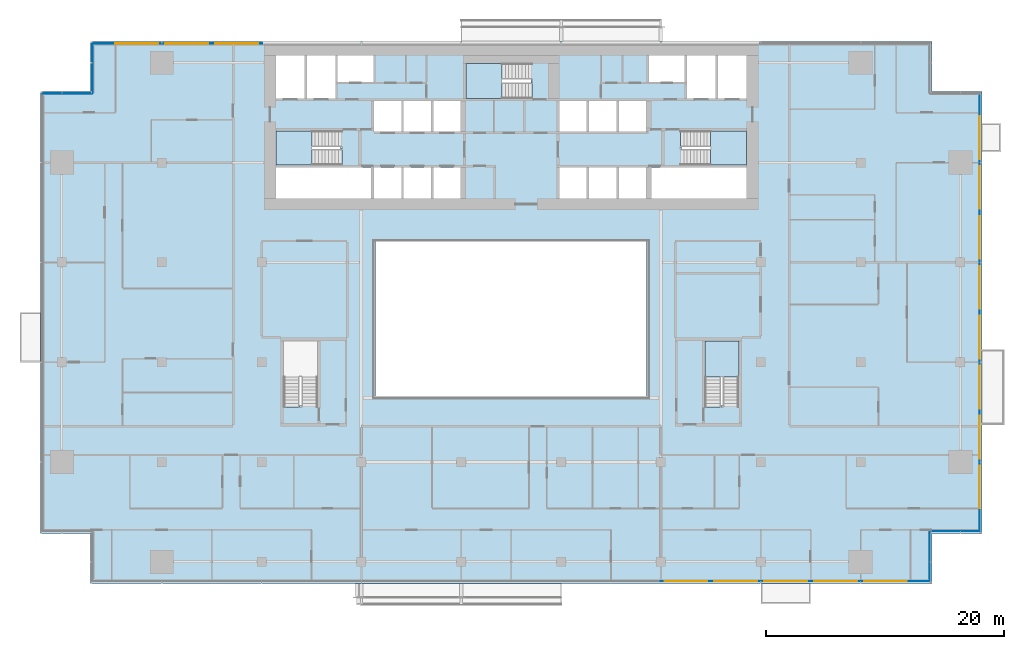
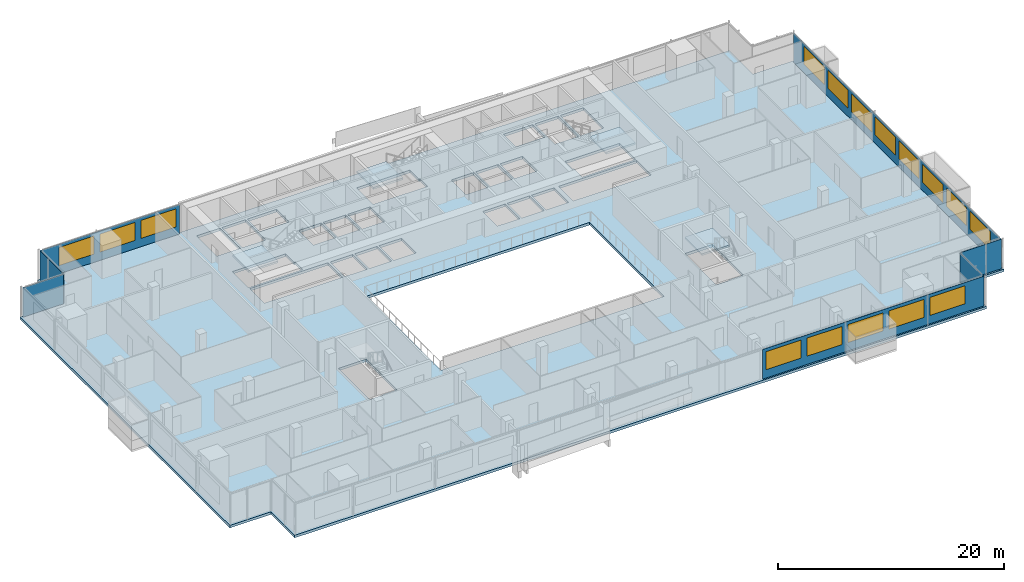
# One storey, part 15 of 26: 16 windows, 7 plates, 5 slabs, 16 openings, 11 elements without a shape of their own.
"""IFC4 building model written with IfcOpenShell, lengths in metres."""

from ifc_helpers import new_model, si_unit, direction, frame, frame_2d, origin, place, context, subcontext, project, spatial, polyline, rectangle, outline, extrude, material, layer, layer_set, type_object, element, fill, aggregate, save


model = new_model("IFC4")

# Units and contexts
model_context = context("Model", 3, precision=1e-05, world=origin(), true_north=direction((0.0, 1.0)))
body_context = subcontext(model_context, "Body", "Model", "MODEL_VIEW")
ifc_project = project(units=[si_unit("LENGTHUNIT", "METRE"), si_unit("AREAUNIT", "SQUARE_METRE"), si_unit("VOLUMEUNIT", "CUBIC_METRE"), si_unit("PLANEANGLEUNIT", "RADIAN"), si_unit("MASSUNIT", "GRAM", prefix="KILO")], contexts=[model_context])

# Site, building, storey
site_placement = place(None, origin())
site = spatial("IfcSite", under=ifc_project, at=site_placement, CompositionType="ELEMENT")
building_placement = place(site_placement, origin())
building = spatial("IfcBuilding", under=site, at=building_placement, Name="Saffron Gate Tower", CompositionType="ELEMENT")
storey_placement = place(building_placement, frame((0.0, 0.0, 120.449951171875)))
storey = spatial("IfcBuildingStorey", under=building, at=storey_placement, Name="L28", CompositionType="ELEMENT", Elevation=120.449951171875)

# Curtain wall, plate, openings, windows
ifc_material_1 = material(Name="Aluminium, bronze anodised", Category="aluminium")
curtain_wall_type_1 = type_object("IfcCurtainWallType", Name="CWS1 curtain wall front facade", PredefinedType="NOTDEFINED", material=ifc_material_1)
curtain_wall_1_placement = place(storey_placement, origin())
curtain_wall_1 = element("IfcCurtainWall", 1, at=curtain_wall_1_placement, inside=storey, type_object=curtain_wall_type_1, Name="CWS1 run 1", PredefinedType="NOTDEFINED")
ifc_material_2 = material(Name="Fritted bronze-tinted laminated glass", Category="glass")
ifc_layer_1 = layer(ifc_material_2, 0.028076171875)
ifc_layer_set_1 = layer_set([ifc_layer_1], Name="CWS1 fixed glass")
plate_type_1 = type_object("IfcPlateType", Name="CWS1 fixed glass", PredefinedType="CURTAIN_PANEL", material=ifc_layer_set_1)
plate_1_placement = place(storey_placement, frame((100.169921875, 30.174072265625, 0.0), z_axis=(0.0, 0.0, 1.0), x_axis=(1.0, 0.0, 0.0)))
plate_1 = element("IfcPlate", 2, at=plate_1_placement, type_object=plate_type_1, Name="CWS1 glass panel", PredefinedType="CURTAIN_PANEL", context=body_context, shape_type="SweptSolid", body=[
    extrude(rectangle(XDim=22.64208984375, YDim=0.028076171875, at=frame_2d((11.321044921875, 0.0))), origin(), (0.0, 0.0, 1.0), 3.199951171875),
])
opening_1_placement = place(plate_1_placement, frame((0.330078125, 0.0, 0.89990234375)))
opening_1 = element("IfcOpeningElement", 3, at=opening_1_placement, cuts=plate_1, Name="Opening W1", PredefinedType="OPENING", context=body_context, shape_type="SweptSolid", body=[
    extrude(rectangle(XDim=3.60009765625, YDim=1.949951171875, at=frame_2d((1.800048828125, 0.97509765625))), frame((0.0, 0.02392578125, 0.0), z_axis=(0.0, -1.0, 0.0), x_axis=(1.0, 0.0, 0.0)), (0.0, 0.0, 1.0), 0.048095703125),
])
opening_2_placement = place(plate_1_placement, frame((4.530029296875, 0.0, 0.89990234375)))
opening_2 = element("IfcOpeningElement", 4, at=opening_2_placement, cuts=plate_1, Name="Opening W1", PredefinedType="OPENING", context=body_context, shape_type="SweptSolid", body=[
    extrude(rectangle(XDim=3.60009765625, YDim=1.949951171875, at=frame_2d((1.800048828125, 0.97509765625))), frame((0.0, 0.02392578125, 0.0), z_axis=(0.0, -1.0, 0.0), x_axis=(1.0, 0.0, 0.0)), (0.0, 0.0, 1.0), 0.048095703125),
])
opening_3_placement = place(plate_1_placement, frame((8.72998046875, 0.0, 0.89990234375)))
opening_3 = element("IfcOpeningElement", 5, at=opening_3_placement, cuts=plate_1, Name="Opening W1", PredefinedType="OPENING", context=body_context, shape_type="SweptSolid", body=[
    extrude(rectangle(XDim=3.60009765625, YDim=1.949951171875, at=frame_2d((1.800048828125, 0.97509765625))), frame((0.0, 0.02392578125, 0.0), z_axis=(0.0, -1.0, 0.0), x_axis=(1.0, 0.0, 0.0)), (0.0, 0.0, 1.0), 0.048095703125),
])
opening_4_placement = place(plate_1_placement, frame((12.929931640625, 0.0, 0.89990234375)))
opening_4 = element("IfcOpeningElement", 6, at=opening_4_placement, cuts=plate_1, Name="Opening W1", PredefinedType="OPENING", context=body_context, shape_type="SweptSolid", body=[
    extrude(rectangle(XDim=3.60009765625, YDim=1.949951171875, at=frame_2d((1.800048828125, 0.97509765625))), frame((0.0, 0.02392578125, 0.0), z_axis=(0.0, -1.0, 0.0), x_axis=(1.0, 0.0, 0.0)), (0.0, 0.0, 1.0), 0.048095703125),
])
opening_5_placement = place(plate_1_placement, frame((17.1298828125, 0.0, 0.89990234375)))
opening_5 = element("IfcOpeningElement", 7, at=opening_5_placement, cuts=plate_1, Name="Opening W1", PredefinedType="OPENING", context=body_context, shape_type="SweptSolid", body=[
    extrude(rectangle(XDim=3.60009765625, YDim=1.949951171875, at=frame_2d((1.800048828125, 0.97509765625))), frame((0.0, 0.02392578125, 0.0), z_axis=(0.0, -1.0, 0.0), x_axis=(1.0, 0.0, 0.0)), (0.0, 0.0, 1.0), 0.048095703125),
])
ifc_material_3 = material(Name="Fritted bronze-tinted laminated glass in bronze frame", Category="glass")
ifc_layer_2 = layer(ifc_material_3, 0.06005859375)
ifc_layer_set_2 = layer_set([ifc_layer_2], Name="W1 operable panel 3600x1950")
window_type = type_object("IfcWindowType", Name="W1 operable panel 3600x1950", PartitioningType="DOUBLE_PANEL_HORIZONTAL", PredefinedType="WINDOW", material=ifc_layer_set_2)
window_1_placement = place(opening_1_placement, origin())
window_1 = element("IfcWindow", 8, at=window_1_placement, type_object=window_type, Name="W1 operable panel", OverallHeight=1.949951171875, OverallWidth=3.60009765625, PartitioningType="SINGLE_PANEL", PredefinedType="WINDOW", context=body_context, shape_type="SweptSolid", body=[
    extrude(rectangle(XDim=3.60009765625, YDim=1.949951171875, at=frame_2d((1.800048828125, 0.97509765625))), frame((0.0, 0.013671875, 0.0), z_axis=(0.0, -1.0, 0.0), x_axis=(1.0, 0.0, 0.0)), (0.0, 0.0, 1.0), 0.027587890625),
])
fill(opening_1, window_1)
window_2_placement = place(opening_2_placement, origin())
window_2 = element("IfcWindow", 9, at=window_2_placement, type_object=window_type, Name="W1 operable panel", OverallHeight=1.949951171875, OverallWidth=3.60009765625, PartitioningType="SINGLE_PANEL", PredefinedType="WINDOW", context=body_context, shape_type="SweptSolid", body=[
    extrude(rectangle(XDim=3.60009765625, YDim=1.949951171875, at=frame_2d((1.800048828125, 0.97509765625))), frame((0.0, 0.013671875, 0.0), z_axis=(0.0, -1.0, 0.0), x_axis=(1.0, 0.0, 0.0)), (0.0, 0.0, 1.0), 0.027587890625),
])
fill(opening_2, window_2)
window_3_placement = place(opening_3_placement, origin())
window_3 = element("IfcWindow", 10, at=window_3_placement, type_object=window_type, Name="W1 operable panel", OverallHeight=1.949951171875, OverallWidth=3.60009765625, PartitioningType="SINGLE_PANEL", PredefinedType="WINDOW", context=body_context, shape_type="SweptSolid", body=[
    extrude(rectangle(XDim=3.60009765625, YDim=1.949951171875, at=frame_2d((1.800048828125, 0.97509765625))), frame((0.0, 0.013671875, 0.0), z_axis=(0.0, -1.0, 0.0), x_axis=(1.0, 0.0, 0.0)), (0.0, 0.0, 1.0), 0.027587890625),
])
fill(opening_3, window_3)
window_4_placement = place(opening_4_placement, origin())
window_4 = element("IfcWindow", 11, at=window_4_placement, type_object=window_type, Name="W1 operable panel", OverallHeight=1.949951171875, OverallWidth=3.60009765625, PartitioningType="SINGLE_PANEL", PredefinedType="WINDOW", context=body_context, shape_type="SweptSolid", body=[
    extrude(rectangle(XDim=3.60009765625, YDim=1.949951171875, at=frame_2d((1.800048828125, 0.97509765625))), frame((0.0, 0.013671875, 0.0), z_axis=(0.0, -1.0, 0.0), x_axis=(1.0, 0.0, 0.0)), (0.0, 0.0, 1.0), 0.027587890625),
])
fill(opening_4, window_4)
window_5_placement = place(opening_5_placement, origin())
window_5 = element("IfcWindow", 12, at=window_5_placement, type_object=window_type, Name="W1 operable panel", OverallHeight=1.949951171875, OverallWidth=3.60009765625, PartitioningType="SINGLE_PANEL", PredefinedType="WINDOW", context=body_context, shape_type="SweptSolid", body=[
    extrude(rectangle(XDim=3.60009765625, YDim=1.949951171875, at=frame_2d((1.800048828125, 0.97509765625))), frame((0.0, 0.013671875, 0.0), z_axis=(0.0, -1.0, 0.0), x_axis=(1.0, 0.0, 0.0)), (0.0, 0.0, 1.0), 0.027587890625),
])
fill(opening_5, window_5)
aggregate(curtain_wall_1, [plate_1, window_1, window_2, window_3, window_4, window_5])

curtain_wall_type_2 = type_object("IfcCurtainWallType", Name="CWS2 curtain wall side facades", PredefinedType="NOTDEFINED", material=ifc_material_1)
curtain_wall_2_placement = place(storey_placement, origin())
curtain_wall_2 = element("IfcCurtainWall", 13, at=curtain_wall_2_placement, inside=storey, type_object=curtain_wall_type_2, Name="CWS2 run 4", PredefinedType="NOTDEFINED")
ifc_layer_3 = layer(ifc_material_2, 0.028076171875)
ifc_layer_set_3 = layer_set([ifc_layer_3], Name="CWS2 fixed glass")
plate_type_2 = type_object("IfcPlateType", Name="CWS2 fixed glass", PredefinedType="CURTAIN_PANEL", material=ifc_layer_set_3)
plate_2_placement = place(storey_placement, frame((127.02587890625, 34.387939453125, 0.0), z_axis=(0.0, 0.0, 1.0), x_axis=(0.0, 1.0, 0.0)))
plate_2 = element("IfcPlate", 14, at=plate_2_placement, type_object=plate_type_2, Name="CWS2 glass panel", PredefinedType="CURTAIN_PANEL", context=body_context, shape_type="SweptSolid", body=[
    extrude(rectangle(XDim=36.823974609375, YDim=0.028076171875, at=frame_2d((18.412109375, 0.0))), origin(), (0.0, 0.0, 1.0), 3.199951171875),
])
opening_6_placement = place(plate_2_placement, frame((1.912109375, 0.0, 0.89990234375)))
opening_6 = element("IfcOpeningElement", 15, at=opening_6_placement, cuts=plate_2, Name="Opening W1", PredefinedType="OPENING", context=body_context, shape_type="SweptSolid", body=[
    extrude(rectangle(XDim=3.60009765625, YDim=1.949951171875, at=frame_2d((1.800048828125, 0.97509765625))), frame((0.0, 0.02392578125, 0.0), z_axis=(0.0, -1.0, 0.0), x_axis=(1.0, 0.0, 0.0)), (0.0, 0.0, 1.0), 0.048095703125),
])
opening_7_placement = place(plate_2_placement, frame((6.112060546875, 0.0, 0.89990234375)))
opening_7 = element("IfcOpeningElement", 16, at=opening_7_placement, cuts=plate_2, Name="Opening W1", PredefinedType="OPENING", context=body_context, shape_type="SweptSolid", body=[
    extrude(rectangle(XDim=3.60009765625, YDim=1.949951171875, at=frame_2d((1.800048828125, 0.97509765625))), frame((0.0, 0.02392578125, 0.0), z_axis=(0.0, -1.0, 0.0), x_axis=(1.0, 0.0, 0.0)), (0.0, 0.0, 1.0), 0.048095703125),
])
opening_8_placement = place(plate_2_placement, frame((10.31201171875, 0.0, 0.89990234375)))
opening_8 = element("IfcOpeningElement", 17, at=opening_8_placement, cuts=plate_2, Name="Opening W1", PredefinedType="OPENING", context=body_context, shape_type="SweptSolid", body=[
    extrude(rectangle(XDim=3.60009765625, YDim=1.949951171875, at=frame_2d((1.800048828125, 0.97509765625))), frame((0.0, 0.02392578125, 0.0), z_axis=(0.0, -1.0, 0.0), x_axis=(1.0, 0.0, 0.0)), (0.0, 0.0, 1.0), 0.048095703125),
])
opening_9_placement = place(plate_2_placement, frame((14.511962890625, 0.0, 0.89990234375)))
opening_9 = element("IfcOpeningElement", 18, at=opening_9_placement, cuts=plate_2, Name="Opening W1", PredefinedType="OPENING", context=body_context, shape_type="SweptSolid", body=[
    extrude(rectangle(XDim=3.60009765625, YDim=1.949951171875, at=frame_2d((1.800048828125, 0.97509765625))), frame((0.0, 0.02392578125, 0.0), z_axis=(0.0, -1.0, 0.0), x_axis=(1.0, 0.0, 0.0)), (0.0, 0.0, 1.0), 0.048095703125),
])
opening_10_placement = place(plate_2_placement, frame((18.7119140625, 0.0, 0.89990234375)))
opening_10 = element("IfcOpeningElement", 19, at=opening_10_placement, cuts=plate_2, Name="Opening W1", PredefinedType="OPENING", context=body_context, shape_type="SweptSolid", body=[
    extrude(rectangle(XDim=3.60009765625, YDim=1.949951171875, at=frame_2d((1.800048828125, 0.97509765625))), frame((0.0, 0.02392578125, 0.0), z_axis=(0.0, -1.0, 0.0), x_axis=(1.0, 0.0, 0.0)), (0.0, 0.0, 1.0), 0.048095703125),
])
opening_11_placement = place(plate_2_placement, frame((22.912109375, 0.0, 0.89990234375)))
opening_11 = element("IfcOpeningElement", 20, at=opening_11_placement, cuts=plate_2, Name="Opening W1", PredefinedType="OPENING", context=body_context, shape_type="SweptSolid", body=[
    extrude(rectangle(XDim=3.60009765625, YDim=1.949951171875, at=frame_2d((1.800048828125, 0.97509765625))), frame((0.0, 0.02392578125, 0.0), z_axis=(0.0, -1.0, 0.0), x_axis=(1.0, 0.0, 0.0)), (0.0, 0.0, 1.0), 0.048095703125),
])
opening_12_placement = place(plate_2_placement, frame((27.112060546875, 0.0, 0.89990234375)))
opening_12 = element("IfcOpeningElement", 21, at=opening_12_placement, cuts=plate_2, Name="Opening W1", PredefinedType="OPENING", context=body_context, shape_type="SweptSolid", body=[
    extrude(rectangle(XDim=3.60009765625, YDim=1.949951171875, at=frame_2d((1.800048828125, 0.97509765625))), frame((0.0, 0.02392578125, 0.0), z_axis=(0.0, -1.0, 0.0), x_axis=(1.0, 0.0, 0.0)), (0.0, 0.0, 1.0), 0.048095703125),
])
opening_13_placement = place(plate_2_placement, frame((31.31201171875, 0.0, 0.89990234375)))
opening_13 = element("IfcOpeningElement", 22, at=opening_13_placement, cuts=plate_2, Name="Opening W1", PredefinedType="OPENING", context=body_context, shape_type="SweptSolid", body=[
    extrude(rectangle(XDim=3.60009765625, YDim=1.949951171875, at=frame_2d((1.800048828125, 0.97509765625))), frame((0.0, 0.02392578125, 0.0), z_axis=(0.0, -1.0, 0.0), x_axis=(1.0, 0.0, 0.0)), (0.0, 0.0, 1.0), 0.048095703125),
])
window_6_placement = place(opening_6_placement, origin())
window_6 = element("IfcWindow", 23, at=window_6_placement, type_object=window_type, Name="W1 operable panel", OverallHeight=1.949951171875, OverallWidth=3.60009765625, PartitioningType="SINGLE_PANEL", PredefinedType="WINDOW", context=body_context, shape_type="SweptSolid", body=[
    extrude(rectangle(XDim=3.60009765625, YDim=1.949951171875, at=frame_2d((1.800048828125, 0.97509765625))), frame((0.0, 0.013671875, 0.0), z_axis=(0.0, -1.0, 0.0), x_axis=(1.0, 0.0, 0.0)), (0.0, 0.0, 1.0), 0.027587890625),
])
fill(opening_6, window_6)
window_7_placement = place(opening_7_placement, origin())
window_7 = element("IfcWindow", 24, at=window_7_placement, type_object=window_type, Name="W1 operable panel", OverallHeight=1.949951171875, OverallWidth=3.60009765625, PartitioningType="SINGLE_PANEL", PredefinedType="WINDOW", context=body_context, shape_type="SweptSolid", body=[
    extrude(rectangle(XDim=3.60009765625, YDim=1.949951171875, at=frame_2d((1.800048828125, 0.97509765625))), frame((0.0, 0.013671875, 0.0), z_axis=(0.0, -1.0, 0.0), x_axis=(1.0, 0.0, 0.0)), (0.0, 0.0, 1.0), 0.027587890625),
])
fill(opening_7, window_7)
window_8_placement = place(opening_8_placement, origin())
window_8 = element("IfcWindow", 25, at=window_8_placement, type_object=window_type, Name="W1 operable panel", OverallHeight=1.949951171875, OverallWidth=3.60009765625, PartitioningType="SINGLE_PANEL", PredefinedType="WINDOW", context=body_context, shape_type="SweptSolid", body=[
    extrude(rectangle(XDim=3.60009765625, YDim=1.949951171875, at=frame_2d((1.800048828125, 0.97509765625))), frame((0.0, 0.013671875, 0.0), z_axis=(0.0, -1.0, 0.0), x_axis=(1.0, 0.0, 0.0)), (0.0, 0.0, 1.0), 0.027587890625),
])
fill(opening_8, window_8)
window_9_placement = place(opening_9_placement, origin())
window_9 = element("IfcWindow", 26, at=window_9_placement, type_object=window_type, Name="W1 operable panel", OverallHeight=1.949951171875, OverallWidth=3.60009765625, PartitioningType="SINGLE_PANEL", PredefinedType="WINDOW", context=body_context, shape_type="SweptSolid", body=[
    extrude(rectangle(XDim=3.60009765625, YDim=1.949951171875, at=frame_2d((1.800048828125, 0.97509765625))), frame((0.0, 0.013671875, 0.0), z_axis=(0.0, -1.0, 0.0), x_axis=(1.0, 0.0, 0.0)), (0.0, 0.0, 1.0), 0.027587890625),
])
fill(opening_9, window_9)
window_10_placement = place(opening_10_placement, origin())
window_10 = element("IfcWindow", 27, at=window_10_placement, type_object=window_type, Name="W1 operable panel", OverallHeight=1.949951171875, OverallWidth=3.60009765625, PartitioningType="SINGLE_PANEL", PredefinedType="WINDOW", context=body_context, shape_type="SweptSolid", body=[
    extrude(rectangle(XDim=3.60009765625, YDim=1.949951171875, at=frame_2d((1.800048828125, 0.97509765625))), frame((0.0, 0.013671875, 0.0), z_axis=(0.0, -1.0, 0.0), x_axis=(1.0, 0.0, 0.0)), (0.0, 0.0, 1.0), 0.027587890625),
])
fill(opening_10, window_10)
window_11_placement = place(opening_11_placement, origin())
window_11 = element("IfcWindow", 28, at=window_11_placement, type_object=window_type, Name="W1 operable panel", OverallHeight=1.949951171875, OverallWidth=3.60009765625, PartitioningType="SINGLE_PANEL", PredefinedType="WINDOW", context=body_context, shape_type="SweptSolid", body=[
    extrude(rectangle(XDim=3.60009765625, YDim=1.949951171875, at=frame_2d((1.800048828125, 0.97509765625))), frame((0.0, 0.013671875, 0.0), z_axis=(0.0, -1.0, 0.0), x_axis=(1.0, 0.0, 0.0)), (0.0, 0.0, 1.0), 0.027587890625),
])
fill(opening_11, window_11)
window_12_placement = place(opening_12_placement, origin())
window_12 = element("IfcWindow", 29, at=window_12_placement, type_object=window_type, Name="W1 operable panel", OverallHeight=1.949951171875, OverallWidth=3.60009765625, PartitioningType="SINGLE_PANEL", PredefinedType="WINDOW", context=body_context, shape_type="SweptSolid", body=[
    extrude(rectangle(XDim=3.60009765625, YDim=1.949951171875, at=frame_2d((1.800048828125, 0.97509765625))), frame((0.0, 0.013671875, 0.0), z_axis=(0.0, -1.0, 0.0), x_axis=(1.0, 0.0, 0.0)), (0.0, 0.0, 1.0), 0.027587890625),
])
fill(opening_12, window_12)
window_13_placement = place(opening_13_placement, origin())
window_13 = element("IfcWindow", 30, at=window_13_placement, type_object=window_type, Name="W1 operable panel", OverallHeight=1.949951171875, OverallWidth=3.60009765625, PartitioningType="SINGLE_PANEL", PredefinedType="WINDOW", context=body_context, shape_type="SweptSolid", body=[
    extrude(rectangle(XDim=3.60009765625, YDim=1.949951171875, at=frame_2d((1.800048828125, 0.97509765625))), frame((0.0, 0.013671875, 0.0), z_axis=(0.0, -1.0, 0.0), x_axis=(1.0, 0.0, 0.0)), (0.0, 0.0, 1.0), 0.027587890625),
])
fill(opening_13, window_13)
aggregate(curtain_wall_2, [plate_2, window_6, window_7, window_8, window_9, window_10, window_11, window_12, window_13])

curtain_wall_type_3 = type_object("IfcCurtainWallType", Name="CWS3 curtain wall rear facade", PredefinedType="NOTDEFINED", material=ifc_material_1)
curtain_wall_3_placement = place(storey_placement, origin())
curtain_wall_3 = element("IfcCurtainWall", 31, at=curtain_wall_3_placement, inside=storey, type_object=curtain_wall_type_3, Name="CWS3 run 7", PredefinedType="NOTDEFINED")
ifc_material_4 = material(Name="Fritted grey-tinted laminated glass", Category="glass")
ifc_layer_4 = layer(ifc_material_4, 0.028076171875)
ifc_layer_set_4 = layer_set([ifc_layer_4], Name="CWS3 fixed glass")
plate_type_3 = type_object("IfcPlateType", Name="CWS3 fixed glass", PredefinedType="CURTAIN_PANEL", material=ifc_layer_set_4)
plate_3_placement = place(storey_placement, frame((66.635009765625, 75.426025390625, 0.0), z_axis=(0.0, 0.0, 1.0), x_axis=(-1.0, 0.0, 0.0)))
plate_3 = element("IfcPlate", 32, at=plate_3_placement, type_object=plate_type_3, Name="CWS3 glass panel", PredefinedType="CURTAIN_PANEL", context=body_context, shape_type="SweptSolid", body=[
    extrude(rectangle(XDim=14.2470703125, YDim=0.028076171875, at=frame_2d((7.12353515625, 0.0))), origin(), (0.0, 0.0, 1.0), 3.199951171875),
])
opening_14_placement = place(plate_3_placement, frame((0.3349609375, 0.0, 0.89990234375)))
opening_14 = element("IfcOpeningElement", 33, at=opening_14_placement, cuts=plate_3, Name="Opening W1", PredefinedType="OPENING", context=body_context, shape_type="SweptSolid", body=[
    extrude(rectangle(XDim=3.60009765625, YDim=1.949951171875, at=frame_2d((1.800048828125, 0.97509765625))), frame((0.0, 0.02392578125, 0.0), z_axis=(0.0, -1.0, 0.0), x_axis=(1.0, 0.0, 0.0)), (0.0, 0.0, 1.0), 0.048095703125),
])
opening_15_placement = place(plate_3_placement, frame((4.534912109375, 0.0, 0.89990234375)))
opening_15 = element("IfcOpeningElement", 34, at=opening_15_placement, cuts=plate_3, Name="Opening W1", PredefinedType="OPENING", context=body_context, shape_type="SweptSolid", body=[
    extrude(rectangle(XDim=3.60009765625, YDim=1.949951171875, at=frame_2d((1.800048828125, 0.97509765625))), frame((0.0, 0.02392578125, 0.0), z_axis=(0.0, -1.0, 0.0), x_axis=(1.0, 0.0, 0.0)), (0.0, 0.0, 1.0), 0.048095703125),
])
opening_16_placement = place(plate_3_placement, frame((8.735107421875, 0.0, 0.89990234375)))
opening_16 = element("IfcOpeningElement", 35, at=opening_16_placement, cuts=plate_3, Name="Opening W1", PredefinedType="OPENING", context=body_context, shape_type="SweptSolid", body=[
    extrude(rectangle(XDim=3.60009765625, YDim=1.949951171875, at=frame_2d((1.800048828125, 0.97509765625))), frame((0.0, 0.02392578125, 0.0), z_axis=(0.0, -1.0, 0.0), x_axis=(1.0, 0.0, 0.0)), (0.0, 0.0, 1.0), 0.048095703125),
])
window_14_placement = place(opening_14_placement, origin())
window_14 = element("IfcWindow", 36, at=window_14_placement, type_object=window_type, Name="W1 operable panel", OverallHeight=1.949951171875, OverallWidth=3.60009765625, PartitioningType="SINGLE_PANEL", PredefinedType="WINDOW", context=body_context, shape_type="SweptSolid", body=[
    extrude(rectangle(XDim=3.60009765625, YDim=1.949951171875, at=frame_2d((1.800048828125, 0.97509765625))), frame((0.0, 0.013671875, 0.0), z_axis=(0.0, -1.0, 0.0), x_axis=(1.0, 0.0, 0.0)), (0.0, 0.0, 1.0), 0.027587890625),
])
fill(opening_14, window_14)
window_15_placement = place(opening_15_placement, origin())
window_15 = element("IfcWindow", 37, at=window_15_placement, type_object=window_type, Name="W1 operable panel", OverallHeight=1.949951171875, OverallWidth=3.60009765625, PartitioningType="SINGLE_PANEL", PredefinedType="WINDOW", context=body_context, shape_type="SweptSolid", body=[
    extrude(rectangle(XDim=3.60009765625, YDim=1.949951171875, at=frame_2d((1.800048828125, 0.97509765625))), frame((0.0, 0.013671875, 0.0), z_axis=(0.0, -1.0, 0.0), x_axis=(1.0, 0.0, 0.0)), (0.0, 0.0, 1.0), 0.027587890625),
])
fill(opening_15, window_15)
window_16_placement = place(opening_16_placement, origin())
window_16 = element("IfcWindow", 38, at=window_16_placement, type_object=window_type, Name="W1 operable panel", OverallHeight=1.949951171875, OverallWidth=3.60009765625, PartitioningType="SINGLE_PANEL", PredefinedType="WINDOW", context=body_context, shape_type="SweptSolid", body=[
    extrude(rectangle(XDim=3.60009765625, YDim=1.949951171875, at=frame_2d((1.800048828125, 0.97509765625))), frame((0.0, 0.013671875, 0.0), z_axis=(0.0, -1.0, 0.0), x_axis=(1.0, 0.0, 0.0)), (0.0, 0.0, 1.0), 0.027587890625),
])
fill(opening_16, window_16)
aggregate(curtain_wall_3, [plate_3, window_14, window_15, window_16])

# Curtain wall, plate
curtain_wall_type_4 = type_object("IfcCurtainWallType", Name="CWS4 curtain wall corner returns", PredefinedType="NOTDEFINED", material=ifc_material_1)
curtain_wall_4_placement = place(storey_placement, origin())
curtain_wall_4 = element("IfcCurtainWall", 39, at=curtain_wall_4_placement, inside=storey, type_object=curtain_wall_type_4, Name="CWS4 run 2", PredefinedType="NOTDEFINED")
ifc_layer_5 = layer(ifc_material_2, 0.028076171875)
ifc_layer_set_5 = layer_set([ifc_layer_5], Name="CWS4 fixed glass")
plate_type_4 = type_object("IfcPlateType", Name="CWS4 fixed glass", PredefinedType="CURTAIN_PANEL", material=ifc_layer_set_5)
plate_4_placement = place(storey_placement, frame((122.825927734375, 30.18798828125, 0.0), z_axis=(0.0, 0.0, 1.0), x_axis=(0.0, 1.0, 0.0)))
plate_4 = element("IfcPlate", 40, at=plate_4_placement, type_object=plate_type_4, Name="CWS4 glass panel", PredefinedType="CURTAIN_PANEL", context=body_context, shape_type="SweptSolid", body=[
    extrude(rectangle(XDim=4.172119140625, YDim=0.028076171875, at=frame_2d((2.0859375, 0.0))), origin(), (0.0, 0.0, 1.0), 3.199951171875),
])
aggregate(curtain_wall_4, [plate_4])

curtain_wall_5_placement = place(storey_placement, origin())
curtain_wall_5 = element("IfcCurtainWall", 41, at=curtain_wall_5_placement, inside=storey, type_object=curtain_wall_type_4, Name="CWS4 run 3", PredefinedType="NOTDEFINED")
plate_5_placement = place(storey_placement, frame((122.840087890625, 34.3740234375, 0.0), z_axis=(0.0, 0.0, 1.0), x_axis=(1.0, 0.0, 0.0)))
plate_5 = element("IfcPlate", 42, at=plate_5_placement, type_object=plate_type_4, Name="CWS4 glass panel", PredefinedType="CURTAIN_PANEL", context=body_context, shape_type="SweptSolid", body=[
    extrude(rectangle(XDim=4.171875, YDim=0.028076171875, at=frame_2d((2.0859375, 0.0))), origin(), (0.0, 0.0, 1.0), 3.199951171875),
])
aggregate(curtain_wall_5, [plate_5])

curtain_wall_6_placement = place(storey_placement, origin())
curtain_wall_6 = element("IfcCurtainWall", 43, at=curtain_wall_6_placement, inside=storey, type_object=curtain_wall_type_4, Name="CWS4 run 8", PredefinedType="NOTDEFINED")
plate_6_placement = place(storey_placement, frame((52.3740234375, 75.412109375, 0.0), z_axis=(0.0, 0.0, 1.0), x_axis=(0.0, -1.0, 0.0)))
plate_6 = element("IfcPlate", 44, at=plate_6_placement, type_object=plate_type_4, Name="CWS4 glass panel", PredefinedType="CURTAIN_PANEL", context=body_context, shape_type="SweptSolid", body=[
    extrude(rectangle(XDim=4.172119140625, YDim=0.028076171875, at=frame_2d((2.0859375, 0.0))), origin(), (0.0, 0.0, 1.0), 3.199951171875),
])
aggregate(curtain_wall_6, [plate_6])

curtain_wall_7_placement = place(storey_placement, origin())
curtain_wall_7 = element("IfcCurtainWall", 45, at=curtain_wall_7_placement, inside=storey, type_object=curtain_wall_type_4, Name="CWS4 run 9", PredefinedType="NOTDEFINED")
plate_7_placement = place(storey_placement, frame((52.360107421875, 71.22607421875, 0.0), z_axis=(0.0, 0.0, 1.0), x_axis=(-1.0, 0.0, 0.0)))
plate_7 = element("IfcPlate", 46, at=plate_7_placement, type_object=plate_type_4, Name="CWS4 glass panel", PredefinedType="CURTAIN_PANEL", context=body_context, shape_type="SweptSolid", body=[
    extrude(rectangle(XDim=4.172119140625, YDim=0.028076171875, at=frame_2d((2.0859375, 0.0))), origin(), (0.0, 0.0, 1.0), 3.199951171875),
])
aggregate(curtain_wall_7, [plate_7])

# Slab
ifc_material_5 = material(Name="Concrete C40", Category="concrete")
ifc_layer_6 = layer(ifc_material_5, 0.280029296875)
ifc_layer_set_6 = layer_set([ifc_layer_6], Name="S2 FLOOR SLAB 280 CONCRETE C40")
slab_type_1 = type_object("IfcSlabType", Name="S2 FLOOR SLAB 280 CONCRETE C40", PredefinedType="FLOOR", material=ifc_layer_set_6)
slab_1_placement = place(storey_placement, frame((0.0, 0.0, -0.280029296875)))
element("IfcSlab", 47, at=slab_1_placement, inside=storey, type_object=slab_type_1, Name="S2 FLOOR SLAB", PredefinedType="FLOOR", context=body_context, shape_type="SweptSolid", body=[
    extrude(outline(polyline([(48.0, 34.199951171875), (52.199951171875, 34.199951171875), (52.199951171875, 30.0), (123.0, 30.0), (123.0, 34.199951171875), (127.199951171875, 34.199951171875), (127.199951171875, 71.39990234375), (123.0, 71.39990234375), (123.0, 75.60009765625), (52.199951171875, 75.60009765625), (52.199951171875, 71.39990234375), (48.0, 71.39990234375), (48.0, 34.199951171875)]), holes=[polyline([(67.800048828125, 62.39990234375), (67.800048828125, 65.0), (75.800048828125, 65.0), (75.800048828125, 62.39990234375), (67.800048828125, 62.39990234375)]), polyline([(67.800048828125, 65.199951171875), (67.800048828125, 68.050048828125), (73.25, 68.050048828125), (73.25, 66.550048828125), (73.34912109375, 66.550048828125), (73.34912109375, 65.199951171875), (67.800048828125, 65.199951171875)]), polyline([(67.800048828125, 70.800048828125), (67.800048828125, 74.39990234375), (70.199951171875, 74.39990234375), (70.199951171875, 70.800048828125), (67.800048828125, 70.800048828125)]), polyline([(68.449951171875, 44.85107421875), (68.449951171875, 50.39990234375), (71.300048828125, 50.39990234375), (71.300048828125, 44.949951171875), (69.800048828125, 44.949951171875), (69.800048828125, 44.85107421875), (68.449951171875, 44.85107421875)]), polyline([(70.39990234375, 70.800048828125), (70.39990234375, 74.39990234375), (72.800048828125, 74.39990234375), (72.800048828125, 70.800048828125), (70.39990234375, 70.800048828125)]), polyline([(73.0, 72.199951171875), (73.0, 74.39990234375), (76.0, 74.39990234375), (76.0, 72.199951171875), (73.0, 72.199951171875)]), polyline([(76.050048828125, 62.39990234375), (76.050048828125, 65.0), (78.35009765625, 65.0), (78.35009765625, 62.39990234375), (76.050048828125, 62.39990234375)]), polyline([(76.050048828125, 68.0), (76.050048828125, 70.60009765625), (78.35009765625, 70.60009765625), (78.35009765625, 68.0), (76.050048828125, 68.0)]), polyline([(76.199951171875, 45.60009765625), (76.199951171875, 58.800048828125), (99.0, 58.800048828125), (99.0, 45.60009765625), (76.199951171875, 45.60009765625)]), polyline([(78.550048828125, 62.39990234375), (78.550048828125, 65.0), (80.85009765625, 65.0), (80.85009765625, 62.39990234375), (78.550048828125, 62.39990234375)]), polyline([(78.550048828125, 68.0), (78.550048828125, 70.60009765625), (80.85009765625, 70.60009765625), (80.85009765625, 68.0), (78.550048828125, 68.0)]), polyline([(81.050048828125, 62.39990234375), (81.050048828125, 65.0), (83.35009765625, 65.0), (83.35009765625, 62.39990234375), (81.050048828125, 62.39990234375)]), polyline([(81.050048828125, 68.0), (81.050048828125, 70.60009765625), (83.35009765625, 70.60009765625), (83.35009765625, 68.0), (81.050048828125, 68.0)]), polyline([(83.800048828125, 70.800048828125), (83.800048828125, 73.75), (89.25, 73.75), (89.25, 72.14990234375), (89.34912109375, 72.14990234375), (89.34912109375, 70.800048828125), (83.800048828125, 70.800048828125)]), polyline([(91.64990234375, 62.39990234375), (91.64990234375, 65.0), (93.949951171875, 65.0), (93.949951171875, 62.39990234375), (91.64990234375, 62.39990234375)]), polyline([(91.64990234375, 68.0), (91.64990234375, 70.60009765625), (93.949951171875, 70.60009765625), (93.949951171875, 68.0), (91.64990234375, 68.0)]), polyline([(94.14990234375, 62.39990234375), (94.14990234375, 65.0), (96.449951171875, 65.0), (96.449951171875, 62.39990234375), (94.14990234375, 62.39990234375)]), polyline([(94.14990234375, 68.0), (94.14990234375, 70.60009765625), (96.449951171875, 70.60009765625), (96.449951171875, 68.0), (94.14990234375, 68.0)]), polyline([(96.64990234375, 62.39990234375), (96.64990234375, 65.0), (98.949951171875, 65.0), (98.949951171875, 62.39990234375), (96.64990234375, 62.39990234375)]), polyline([(96.64990234375, 68.0), (96.64990234375, 70.60009765625), (98.949951171875, 70.60009765625), (98.949951171875, 68.0), (96.64990234375, 68.0)]), polyline([(99.199951171875, 72.199951171875), (99.199951171875, 74.39990234375), (102.199951171875, 74.39990234375), (102.199951171875, 72.199951171875), (99.199951171875, 72.199951171875)]), polyline([(99.39990234375, 62.39990234375), (99.39990234375, 65.0), (107.39990234375, 65.0), (107.39990234375, 62.39990234375), (99.39990234375, 62.39990234375)]), polyline([(101.85107421875, 66.699951171875), (101.85107421875, 68.050048828125), (107.39990234375, 68.050048828125), (107.39990234375, 65.199951171875), (101.949951171875, 65.199951171875), (101.949951171875, 66.699951171875), (101.85107421875, 66.699951171875)]), polyline([(102.39990234375, 70.800048828125), (102.39990234375, 74.39990234375), (104.800048828125, 74.39990234375), (104.800048828125, 70.800048828125), (102.39990234375, 70.800048828125)]), polyline([(103.89990234375, 44.85107421875), (103.89990234375, 50.39990234375), (106.75, 50.39990234375), (106.75, 44.949951171875), (105.25, 44.949951171875), (105.25, 44.85107421875), (103.89990234375, 44.85107421875)]), polyline([(105.0, 70.800048828125), (105.0, 74.39990234375), (107.39990234375, 74.39990234375), (107.39990234375, 70.800048828125), (105.0, 70.800048828125)])]), origin(), (0.0, 0.0, 1.0), 0.280029296875),
])

# Stair, slab
stair_type = type_object("IfcStairType", Name="ST7 Stair 1350 wide, 20 risers of 180", PredefinedType="HALF_TURN_STAIR", material=ifc_material_5)
stair_1_placement = place(storey_placement, origin())
stair_1 = element("IfcStair", 48, at=stair_1_placement, inside=storey, type_object=stair_type, Name="L28 Exit stair A", PredefinedType="HALF_TURN_STAIR")
ifc_layer_7 = layer(ifc_material_5, 0.199951171875)
ifc_layer_set_7 = layer_set([ifc_layer_7], Name="SL1 Stair landing 200")
slab_type_2 = type_object("IfcSlabType", Name="SL1 Stair landing 200", PredefinedType="LANDING", material=ifc_layer_set_7)
slab_2_placement = place(storey_placement, frame((0.0, 0.0, 1.60009765625)))
slab_2 = element("IfcSlab", 49, at=slab_2_placement, type_object=slab_type_2, Name="ST-A landing 1", PredefinedType="LANDING", context=body_context, shape_type="SweptSolid", body=[
    extrude(outline(polyline([(70.830078125, 68.050048828125), (67.800048828125, 68.050048828125), (67.800048828125, 65.199951171875), (70.830078125, 65.199951171875), (70.830078125, 68.050048828125)])), origin(), (0.0, 0.0, 1.0), 0.199951171875),
])
aggregate(stair_1, [slab_2])

stair_2_placement = place(storey_placement, origin())
stair_2 = element("IfcStair", 50, at=stair_2_placement, inside=storey, type_object=stair_type, Name="L28 Exit stair B", PredefinedType="HALF_TURN_STAIR")
slab_3_placement = place(storey_placement, frame((0.0, 0.0, 1.60009765625)))
slab_3 = element("IfcSlab", 51, at=slab_3_placement, type_object=slab_type_2, Name="ST-B landing 1", PredefinedType="LANDING", context=body_context, shape_type="SweptSolid", body=[
    extrude(outline(polyline([(104.3701171875, 65.199951171875), (107.39990234375, 65.199951171875), (107.39990234375, 68.050048828125), (104.3701171875, 68.050048828125), (104.3701171875, 65.199951171875)])), origin(), (0.0, 0.0, 1.0), 0.199951171875),
])
aggregate(stair_2, [slab_3])

stair_3_placement = place(storey_placement, origin())
stair_3 = element("IfcStair", 52, at=stair_3_placement, inside=storey, type_object=stair_type, Name="L28 Exit stair C", PredefinedType="HALF_TURN_STAIR")
slab_4_placement = place(storey_placement, frame((0.0, 0.0, 1.60009765625)))
slab_4 = element("IfcSlab", 53, at=slab_4_placement, type_object=slab_type_2, Name="ST-C landing 1", PredefinedType="LANDING", context=body_context, shape_type="SweptSolid", body=[
    extrude(outline(polyline([(86.830078125, 73.75), (83.800048828125, 73.75), (83.800048828125, 70.800048828125), (86.830078125, 70.800048828125), (86.830078125, 73.75)])), origin(), (0.0, 0.0, 1.0), 0.199951171875),
])
aggregate(stair_3, [slab_4])

stair_4_placement = place(storey_placement, origin())
stair_4 = element("IfcStair", 54, at=stair_4_placement, inside=storey, type_object=stair_type, Name="L28 Exit stair E", PredefinedType="HALF_TURN_STAIR")
slab_5_placement = place(storey_placement, frame((0.0, 0.0, 1.60009765625)))
slab_5 = element("IfcSlab", 55, at=slab_5_placement, type_object=slab_type_2, Name="ST-E landing 1", PredefinedType="LANDING", context=body_context, shape_type="SweptSolid", body=[
    extrude(outline(polyline([(106.75, 47.3701171875), (106.75, 50.39990234375), (103.89990234375, 50.39990234375), (103.89990234375, 47.3701171875), (106.75, 47.3701171875)])), origin(), (0.0, 0.0, 1.0), 0.199951171875),
])
aggregate(stair_4, [slab_5])

save(model, "model.ifc")
